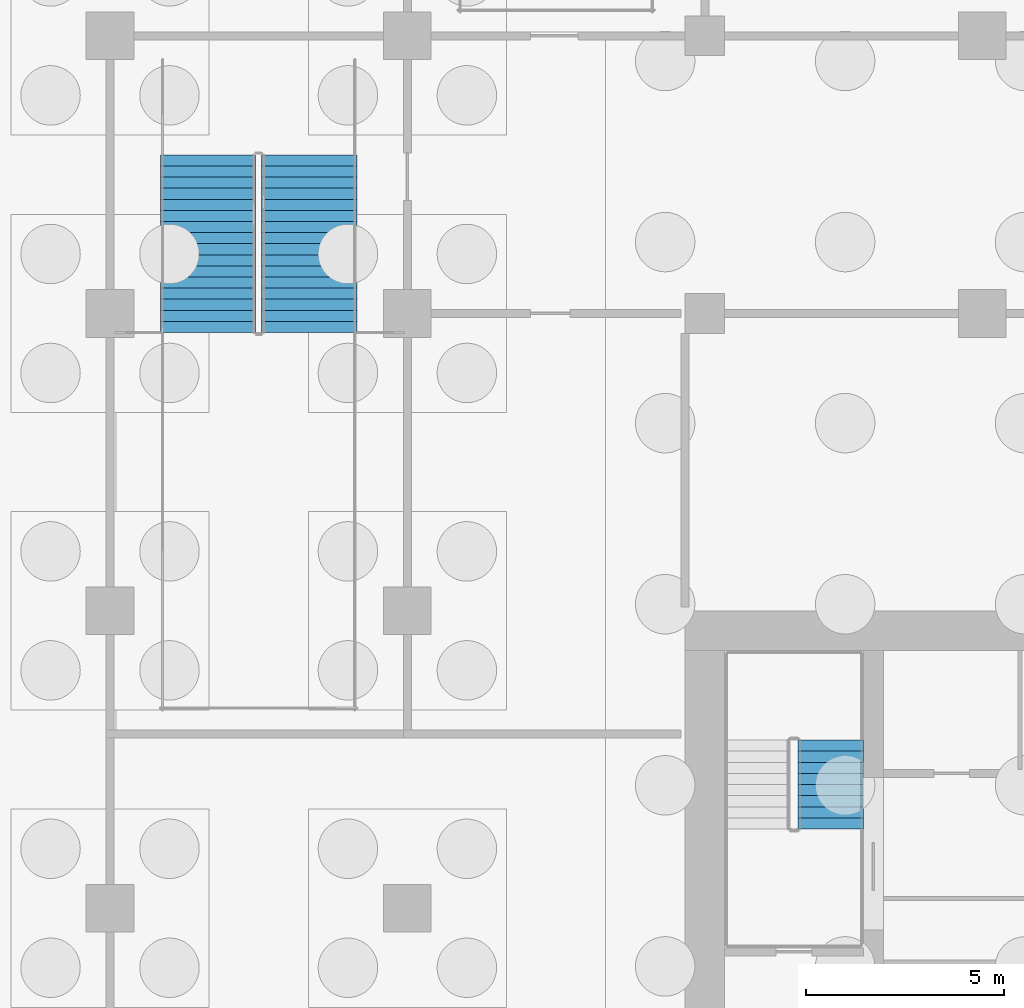
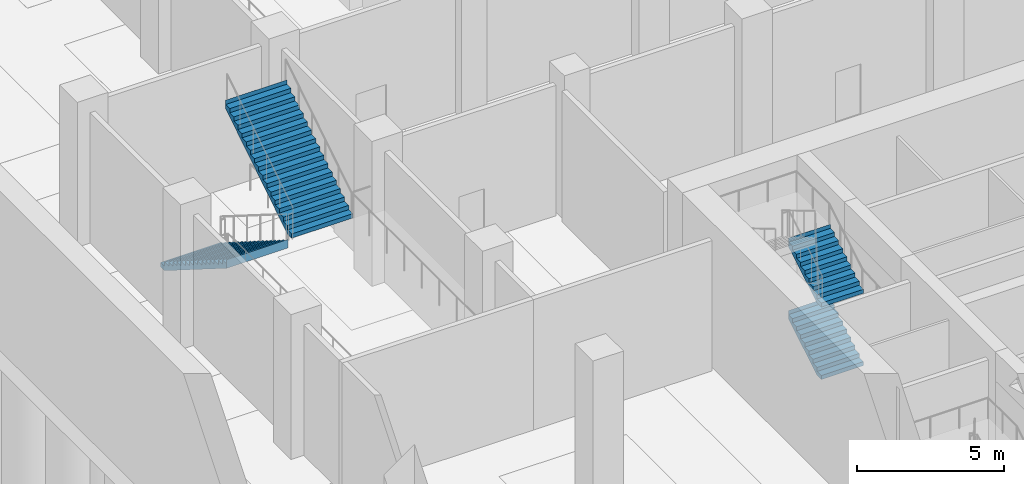
# One storey, part 23 of 39: 4 stair flights, 2 elements without a shape of their own.
"""IFC4 building model written with IfcOpenShell, lengths in metres."""

from ifc_helpers import new_model, si_unit, direction, frame, origin, place, context, subcontext, project, spatial, polyline, outline, extrude, material, type_object, element, aggregate, save


model = new_model("IFC4")

# Units and contexts
model_context = context("Model", 3, precision=1e-05, world=origin(), true_north=direction((0.0, 1.0)))
body_context = subcontext(model_context, "Body", "Model", "MODEL_VIEW")
ifc_project = project(units=[si_unit("LENGTHUNIT", "METRE"), si_unit("AREAUNIT", "SQUARE_METRE"), si_unit("VOLUMEUNIT", "CUBIC_METRE"), si_unit("PLANEANGLEUNIT", "RADIAN"), si_unit("MASSUNIT", "GRAM", prefix="KILO")], contexts=[model_context])

# Site, building, storey
site_placement = place(None, origin())
site = spatial("IfcSite", under=ifc_project, at=site_placement, CompositionType="ELEMENT")
building_placement = place(site_placement, origin())
building = spatial("IfcBuilding", under=site, at=building_placement, Name="Tamorin Gate", CompositionType="ELEMENT")
storey_placement = place(building_placement, frame((0.0, 0.0, -12.0)))
storey = spatial("IfcBuildingStorey", under=building, at=storey_placement, Name="B2", CompositionType="ELEMENT", Elevation=-12.0)

# Stair, stair flights
ifc_material_1 = material(Name="Concrete C40/50", Category="concrete")
stair_type_1 = type_object("IfcStairType", Name="Exit stair", PredefinedType="HALF_TURN_STAIR", material=ifc_material_1)
stair_1_placement = place(storey_placement, origin())
stair_1 = element("IfcStair", 1, at=stair_1_placement, inside=storey, type_object=stair_type_1, Name="B2 stair ST2", PredefinedType="HALF_TURN_STAIR")
stair_flight_type_1 = type_object("IfcStairFlightType", Name="Exit stair flight", PredefinedType="STRAIGHT", material=ifc_material_1)
stair_flight_1_placement = place(storey_placement, frame((33.675048828125, 77.0, 0.0), z_axis=(0.0, 0.0, 1.0), x_axis=(0.0, 1.0, 0.0)))
stair_flight_1 = element("IfcStairFlight", 2, at=stair_flight_1_placement, type_object=stair_flight_type_1, Name="ST2 flight 1", NumberOfRisers=9, NumberOfTreads=8, PredefinedType="STRAIGHT", RiserHeight=0.166666667, TreadLength=0.28, context=body_context, shape_type="SweptSolid", body=[
    extrude(outline(polyline([(-0.00048828125, 0.0), (-0.00048828125, 0.001708984375), (-0.00048828125, 0.00341796875), (-0.00048828125, 0.0048828125), (-0.00048828125, 0.006591796875), (-0.00048828125, 0.00830078125), (-0.00048828125, 0.010009765625), (-0.00048828125, 0.011474609375), (-0.00048828125, 0.01318359375), (-0.00048828125, 0.014892578125), (-0.00048828125, 0.0166015625), (-0.00048828125, 0.01806640625), (-0.00048828125, 0.019775390625), (-0.00048828125, 0.021484375), (-0.00048828125, 0.023193359375), (-0.00048828125, 0.024658203125), (-0.00048828125, 0.0263671875), (-0.00048828125, 0.028076171875), (-0.00048828125, 0.02978515625), (-0.00048828125, 0.03125), (-0.00048828125, 0.032958984375), (-0.00048828125, 0.03466796875), (-0.00048828125, 0.036376953125), (-0.00048828125, 0.037841796875), (-0.00048828125, 0.03955078125), (-0.00048828125, 0.041259765625), (-0.00048828125, 0.04296875), (-0.00048828125, 0.04443359375), (-0.00048828125, 0.046142578125), (-0.00048828125, 0.0478515625), (-0.00048828125, 0.049560546875), (-0.00048828125, 0.05126953125), (-0.00048828125, 0.052734375), (-0.00048828125, 0.054443359375), (-0.00048828125, 0.05615234375), (-0.00048828125, 0.057861328125), (-0.00048828125, 0.059326171875), (-0.00048828125, 0.06103515625), (-0.00048828125, 0.062744140625), (-0.00048828125, 0.064453125), (-0.00048828125, 0.06591796875), (-0.00048828125, 0.067626953125), (-0.00048828125, 0.0693359375), (-0.00048828125, 0.071044921875), (-0.00048828125, 0.072509765625), (-0.00048828125, 0.07421875), (-0.00048828125, 0.075927734375), (-0.00048828125, 0.07763671875), (-0.00048828125, 0.0791015625), (-0.00048828125, 0.080810546875), (-0.00048828125, 0.08251953125), (-0.00048828125, 0.084228515625), (-0.00048828125, 0.085693359375), (-0.00048828125, 0.08740234375), (-0.00048828125, 0.089111328125), (-0.00048828125, 0.0908203125), (-0.00048828125, 0.092529296875), (-0.00048828125, 0.093994140625), (-0.00048828125, 0.095703125), (-0.00048828125, 0.097412109375), (-0.00048828125, 0.09912109375), (-0.00048828125, 0.1005859375), (-0.00048828125, 0.102294921875), (-0.00048828125, 0.10400390625), (-0.00048828125, 0.105712890625), (-0.00048828125, 0.107177734375), (-0.00048828125, 0.10888671875), (-0.00048828125, 0.110595703125), (-0.00048828125, 0.1123046875), (-0.00048828125, 0.11376953125), (-0.00048828125, 0.115478515625), (-0.00048828125, 0.1171875), (-0.00048828125, 0.118896484375), (-0.00048828125, 0.120361328125), (-0.00048828125, 0.1220703125), (-0.00048828125, 0.123779296875), (-0.00048828125, 0.12548828125), (-0.00048828125, 0.126953125), (-0.00048828125, 0.128662109375), (-0.00048828125, 0.13037109375), (-0.00048828125, 0.132080078125), (-0.00048828125, 0.133544921875), (-0.00048828125, 0.13525390625), (-0.00048828125, 0.136962890625), (-0.00048828125, 0.138671875), (-0.00048828125, 0.140380859375), (-0.00048828125, 0.141845703125), (-0.00048828125, 0.1435546875), (-0.00048828125, 0.145263671875), (-0.00048828125, 0.14697265625), (-0.00048828125, 0.1484375), (-0.00048828125, 0.150146484375), (-0.00048828125, 0.15185546875), (-0.00048828125, 0.153564453125), (-0.00048828125, 0.155029296875), (-0.00048828125, 0.15673828125), (-0.00048828125, 0.158447265625), (-0.00048828125, 0.16015625), (-0.00048828125, 0.16162109375), (-0.00048828125, 0.163330078125), (-0.00048828125, 0.1650390625), (-0.00048828125, 0.166748046875), (0.280029296875, 0.166748046875), (0.280029296875, 0.333251953125), (0.56005859375, 0.333251953125), (0.56005859375, 0.5), (0.840087890625, 0.5), (0.840087890625, 0.666748046875), (1.1201171875, 0.666748046875), (1.1201171875, 0.833251953125), (1.39990234375, 0.833251953125), (1.39990234375, 1.0), (1.679931640625, 1.0), (1.679931640625, 1.166748046875), (1.9599609375, 1.166748046875), (1.9599609375, 1.333251953125), (2.239990234375, 1.333251953125), (2.239990234375, 1.5), (2.240478515625, 1.5), (2.240478515625, 1.49658203125), (2.240478515625, 1.4931640625), (2.240478515625, 1.48974609375), (2.240478515625, 1.486572265625), (2.240478515625, 1.483154296875), (2.240478515625, 1.479736328125), (2.240478515625, 1.476318359375), (2.240478515625, 1.472900390625), (2.240478515625, 1.469482421875), (2.240478515625, 1.46630859375), (2.240478515625, 1.462890625), (2.240478515625, 1.45947265625), (2.240478515625, 1.4560546875), (2.240478515625, 1.45263671875), (2.240478515625, 1.44921875), (2.240478515625, 1.446044921875), (2.240478515625, 1.442626953125), (2.240478515625, 1.439208984375), (2.240478515625, 1.435791015625), (2.240478515625, 1.432373046875), (2.240478515625, 1.428955078125), (2.240478515625, 1.42578125), (2.240478515625, 1.42236328125), (2.240478515625, 1.4189453125), (2.240478515625, 1.41552734375), (2.240478515625, 1.412109375), (2.240478515625, 1.40869140625), (2.240478515625, 1.405517578125), (2.240478515625, 1.402099609375), (2.240478515625, 1.398681640625), (2.240478515625, 1.395263671875), (2.240478515625, 1.391845703125), (2.240478515625, 1.388427734375), (2.240478515625, 1.38525390625), (2.240478515625, 1.3818359375), (2.240478515625, 1.37841796875), (2.240478515625, 1.375), (2.240478515625, 1.37158203125), (2.240478515625, 1.3681640625), (2.240478515625, 1.364990234375), (2.240478515625, 1.361572265625), (2.240478515625, 1.358154296875), (2.240478515625, 1.354736328125), (2.240478515625, 1.351318359375), (2.240478515625, 1.347900390625), (2.240478515625, 1.3447265625), (2.240478515625, 1.34130859375), (2.240478515625, 1.337890625), (2.240478515625, 1.33447265625), (2.240478515625, 1.3310546875), (2.240478515625, 1.32763671875), (2.240478515625, 1.324462890625), (2.240478515625, 1.321044921875), (2.240478515625, 1.317626953125), (2.240478515625, 1.314208984375), (2.240478515625, 1.310791015625), (2.240478515625, 1.307373046875), (2.240478515625, 1.30419921875), (2.240478515625, 1.30078125), (2.240478515625, 1.29736328125), (2.240478515625, 1.2939453125), (2.240478515625, 1.29052734375), (2.240478515625, 1.287109375), (2.240478515625, 1.283935546875), (2.240478515625, 1.280517578125), (2.240478515625, 1.277099609375), (2.240478515625, 1.273681640625), (2.240478515625, 1.270263671875), (2.240478515625, 1.266845703125), (2.240478515625, 1.263671875), (2.240478515625, 1.26025390625), (2.240478515625, 1.2568359375), (2.240478515625, 1.25341796875), (2.240478515625, 1.25), (2.240478515625, 1.24658203125), (2.240478515625, 1.243408203125), (2.240478515625, 1.239990234375), (2.240478515625, 1.236572265625), (2.240478515625, 1.233154296875), (2.240478515625, 1.229736328125), (2.240478515625, 1.226318359375), (2.240478515625, 1.22314453125), (2.240478515625, 1.2197265625), (2.240478515625, 1.21630859375), (2.240478515625, 1.212890625), (2.240478515625, 1.20947265625), (2.240478515625, 1.2060546875), (2.240478515625, 1.202880859375), (2.240478515625, 1.199462890625), (2.240478515625, 1.196044921875), (2.240478515625, 1.192626953125), (2.240478515625, 1.189208984375), (2.240478515625, 1.185791015625), (2.240478515625, 1.1826171875), (2.240478515625, 1.17919921875), (2.240478515625, 1.17578125), (2.240478515625, 1.17236328125), (2.240478515625, 1.1689453125), (2.240478515625, 1.16552734375), (2.240478515625, 1.162353515625), (2.240478515625, 1.158935546875), (2.239990234375, 1.158935546875), (0.29296875, 0.0), (-0.00048828125, 0.0)])), frame((0.0, 0.824951171875, 0.0), z_axis=(0.0, -1.0, 0.0), x_axis=(1.0, 0.0, 0.0)), (0.0, 0.0, 1.0), 1.64990234375),
])
stair_flight_2_placement = place(storey_placement, frame((33.675048828125, 77.0, 3.0), z_axis=(0.0, 0.0, 1.0), x_axis=(0.0, 1.0, 0.0)))
stair_flight_2 = element("IfcStairFlight", 3, at=stair_flight_2_placement, type_object=stair_flight_type_1, Name="ST2 flight 3", NumberOfRisers=9, NumberOfTreads=8, PredefinedType="STRAIGHT", RiserHeight=0.166666667, TreadLength=0.28, context=body_context, shape_type="SweptSolid", body=[
    extrude(outline(polyline([(-0.00048828125, 0.0), (-0.00048828125, 0.001708984375), (-0.00048828125, 0.00341796875), (-0.00048828125, 0.0048828125), (-0.00048828125, 0.006591796875), (-0.00048828125, 0.00830078125), (-0.00048828125, 0.010009765625), (-0.00048828125, 0.011474609375), (-0.00048828125, 0.01318359375), (-0.00048828125, 0.014892578125), (-0.00048828125, 0.0166015625), (-0.00048828125, 0.01806640625), (-0.00048828125, 0.019775390625), (-0.00048828125, 0.021484375), (-0.00048828125, 0.023193359375), (-0.00048828125, 0.024658203125), (-0.00048828125, 0.0263671875), (-0.00048828125, 0.028076171875), (-0.00048828125, 0.02978515625), (-0.00048828125, 0.03125), (-0.00048828125, 0.032958984375), (-0.00048828125, 0.03466796875), (-0.00048828125, 0.036376953125), (-0.00048828125, 0.037841796875), (-0.00048828125, 0.03955078125), (-0.00048828125, 0.041259765625), (-0.00048828125, 0.04296875), (-0.00048828125, 0.04443359375), (-0.00048828125, 0.046142578125), (-0.00048828125, 0.0478515625), (-0.00048828125, 0.049560546875), (-0.00048828125, 0.05126953125), (-0.00048828125, 0.052734375), (-0.00048828125, 0.054443359375), (-0.00048828125, 0.05615234375), (-0.00048828125, 0.057861328125), (-0.00048828125, 0.059326171875), (-0.00048828125, 0.06103515625), (-0.00048828125, 0.062744140625), (-0.00048828125, 0.064453125), (-0.00048828125, 0.06591796875), (-0.00048828125, 0.067626953125), (-0.00048828125, 0.0693359375), (-0.00048828125, 0.071044921875), (-0.00048828125, 0.072509765625), (-0.00048828125, 0.07421875), (-0.00048828125, 0.075927734375), (-0.00048828125, 0.07763671875), (-0.00048828125, 0.0791015625), (-0.00048828125, 0.080810546875), (-0.00048828125, 0.08251953125), (-0.00048828125, 0.084228515625), (-0.00048828125, 0.085693359375), (-0.00048828125, 0.08740234375), (-0.00048828125, 0.089111328125), (-0.00048828125, 0.0908203125), (-0.00048828125, 0.092529296875), (-0.00048828125, 0.093994140625), (-0.00048828125, 0.095703125), (-0.00048828125, 0.097412109375), (-0.00048828125, 0.09912109375), (-0.00048828125, 0.1005859375), (-0.00048828125, 0.102294921875), (-0.00048828125, 0.10400390625), (-0.00048828125, 0.105712890625), (-0.00048828125, 0.107177734375), (-0.00048828125, 0.10888671875), (-0.00048828125, 0.110595703125), (-0.00048828125, 0.1123046875), (-0.00048828125, 0.11376953125), (-0.00048828125, 0.115478515625), (-0.00048828125, 0.1171875), (-0.00048828125, 0.118896484375), (-0.00048828125, 0.120361328125), (-0.00048828125, 0.1220703125), (-0.00048828125, 0.123779296875), (-0.00048828125, 0.12548828125), (-0.00048828125, 0.126953125), (-0.00048828125, 0.128662109375), (-0.00048828125, 0.13037109375), (-0.00048828125, 0.132080078125), (-0.00048828125, 0.133544921875), (-0.00048828125, 0.13525390625), (-0.00048828125, 0.136962890625), (-0.00048828125, 0.138671875), (-0.00048828125, 0.140380859375), (-0.00048828125, 0.141845703125), (-0.00048828125, 0.1435546875), (-0.00048828125, 0.145263671875), (-0.00048828125, 0.14697265625), (-0.00048828125, 0.1484375), (-0.00048828125, 0.150146484375), (-0.00048828125, 0.15185546875), (-0.00048828125, 0.153564453125), (-0.00048828125, 0.155029296875), (-0.00048828125, 0.15673828125), (-0.00048828125, 0.158447265625), (-0.00048828125, 0.16015625), (-0.00048828125, 0.16162109375), (-0.00048828125, 0.163330078125), (-0.00048828125, 0.1650390625), (-0.00048828125, 0.166748046875), (0.280029296875, 0.166748046875), (0.280029296875, 0.333251953125), (0.56005859375, 0.333251953125), (0.56005859375, 0.5), (0.840087890625, 0.5), (0.840087890625, 0.666748046875), (1.1201171875, 0.666748046875), (1.1201171875, 0.833251953125), (1.39990234375, 0.833251953125), (1.39990234375, 1.0), (1.679931640625, 1.0), (1.679931640625, 1.166748046875), (1.9599609375, 1.166748046875), (1.9599609375, 1.333251953125), (2.239990234375, 1.333251953125), (2.239990234375, 1.5), (2.240478515625, 1.5), (2.240478515625, 1.49658203125), (2.240478515625, 1.4931640625), (2.240478515625, 1.48974609375), (2.240478515625, 1.486572265625), (2.240478515625, 1.483154296875), (2.240478515625, 1.479736328125), (2.240478515625, 1.476318359375), (2.240478515625, 1.472900390625), (2.240478515625, 1.469482421875), (2.240478515625, 1.46630859375), (2.240478515625, 1.462890625), (2.240478515625, 1.45947265625), (2.240478515625, 1.4560546875), (2.240478515625, 1.45263671875), (2.240478515625, 1.44921875), (2.240478515625, 1.446044921875), (2.240478515625, 1.442626953125), (2.240478515625, 1.439208984375), (2.240478515625, 1.435791015625), (2.240478515625, 1.432373046875), (2.240478515625, 1.428955078125), (2.240478515625, 1.42578125), (2.240478515625, 1.42236328125), (2.240478515625, 1.4189453125), (2.240478515625, 1.41552734375), (2.240478515625, 1.412109375), (2.240478515625, 1.40869140625), (2.240478515625, 1.405517578125), (2.240478515625, 1.402099609375), (2.240478515625, 1.398681640625), (2.240478515625, 1.395263671875), (2.240478515625, 1.391845703125), (2.240478515625, 1.388427734375), (2.240478515625, 1.38525390625), (2.240478515625, 1.3818359375), (2.240478515625, 1.37841796875), (2.240478515625, 1.375), (2.240478515625, 1.37158203125), (2.240478515625, 1.3681640625), (2.240478515625, 1.364990234375), (2.240478515625, 1.361572265625), (2.240478515625, 1.358154296875), (2.240478515625, 1.354736328125), (2.240478515625, 1.351318359375), (2.240478515625, 1.347900390625), (2.240478515625, 1.3447265625), (2.240478515625, 1.34130859375), (2.240478515625, 1.337890625), (2.240478515625, 1.33447265625), (2.240478515625, 1.3310546875), (2.240478515625, 1.32763671875), (2.240478515625, 1.324462890625), (2.240478515625, 1.321044921875), (2.240478515625, 1.317626953125), (2.240478515625, 1.314208984375), (2.240478515625, 1.310791015625), (2.240478515625, 1.307373046875), (2.240478515625, 1.30419921875), (2.240478515625, 1.30078125), (2.240478515625, 1.29736328125), (2.240478515625, 1.2939453125), (2.240478515625, 1.29052734375), (2.240478515625, 1.287109375), (2.240478515625, 1.283935546875), (2.240478515625, 1.280517578125), (2.240478515625, 1.277099609375), (2.240478515625, 1.273681640625), (2.240478515625, 1.270263671875), (2.240478515625, 1.266845703125), (2.240478515625, 1.263671875), (2.240478515625, 1.26025390625), (2.240478515625, 1.2568359375), (2.240478515625, 1.25341796875), (2.240478515625, 1.25), (2.240478515625, 1.24658203125), (2.240478515625, 1.243408203125), (2.240478515625, 1.239990234375), (2.240478515625, 1.236572265625), (2.240478515625, 1.233154296875), (2.240478515625, 1.229736328125), (2.240478515625, 1.226318359375), (2.240478515625, 1.22314453125), (2.240478515625, 1.2197265625), (2.240478515625, 1.21630859375), (2.240478515625, 1.212890625), (2.240478515625, 1.20947265625), (2.240478515625, 1.2060546875), (2.240478515625, 1.202880859375), (2.240478515625, 1.199462890625), (2.240478515625, 1.196044921875), (2.240478515625, 1.192626953125), (2.240478515625, 1.189208984375), (2.240478515625, 1.185791015625), (2.240478515625, 1.1826171875), (2.240478515625, 1.17919921875), (2.240478515625, 1.17578125), (2.240478515625, 1.17236328125), (2.240478515625, 1.1689453125), (2.240478515625, 1.16552734375), (2.240478515625, 1.162353515625), (2.240478515625, 1.158935546875), (2.239990234375, 1.158935546875), (0.29296875, 0.0), (-0.00048828125, 0.0)])), frame((0.0, 0.824951171875, 0.0), z_axis=(0.0, -1.0, 0.0), x_axis=(1.0, 0.0, 0.0)), (0.0, 0.0, 1.0), 1.64990234375),
])
aggregate(stair_1, [stair_flight_1, stair_flight_2])

ifc_material_2 = material(Name="Reinforced concrete C32/40", Category="concrete")
stair_type_2 = type_object("IfcStairType", Name="Basement stair SB", PredefinedType="HALF_TURN_STAIR", material=ifc_material_2)
stair_2_placement = place(storey_placement, origin())
stair_2 = element("IfcStair", 4, at=stair_2_placement, inside=storey, type_object=stair_type_2, Name="B2 Basement stair SB1", PredefinedType="HALF_TURN_STAIR")
stair_flight_type_2 = type_object("IfcStairFlightType", Name="Stair flight 2400", PredefinedType="STRAIGHT", material=ifc_material_2)
stair_flight_3_placement = place(storey_placement, frame((17.97509765625, 94.0, 0.0), z_axis=(0.0, 0.0, 1.0), x_axis=(0.0, -1.0, 0.0)))
stair_flight_3 = element("IfcStairFlight", 5, at=stair_flight_3_placement, type_object=stair_flight_type_2, Name="SB1 flight 1", NumberOfRisers=17, NumberOfTreads=16, PredefinedType="STRAIGHT", RiserHeight=0.176470588, TreadLength=0.28, context=body_context, shape_type="SweptSolid", body=[
    extrude(outline(polyline([(-0.00048828125, 0.0), (-0.00048828125, 0.001708984375), (-0.00048828125, 0.00341796875), (-0.00048828125, 0.005126953125), (-0.00048828125, 0.007080078125), (-0.00048828125, 0.0087890625), (-0.00048828125, 0.010498046875), (-0.00048828125, 0.01220703125), (-0.00048828125, 0.013916015625), (-0.00048828125, 0.015625), (-0.00048828125, 0.017578125), (-0.00048828125, 0.019287109375), (-0.00048828125, 0.02099609375), (-0.00048828125, 0.022705078125), (-0.00048828125, 0.0244140625), (-0.00048828125, 0.026123046875), (-0.00048828125, 0.028076171875), (-0.00048828125, 0.02978515625), (-0.00048828125, 0.031494140625), (-0.00048828125, 0.033203125), (-0.00048828125, 0.034912109375), (-0.00048828125, 0.03662109375), (-0.00048828125, 0.038330078125), (-0.00048828125, 0.040283203125), (-0.00048828125, 0.0419921875), (-0.00048828125, 0.043701171875), (-0.00048828125, 0.04541015625), (-0.00048828125, 0.047119140625), (-0.00048828125, 0.048828125), (-0.00048828125, 0.05078125), (-0.00048828125, 0.052490234375), (-0.00048828125, 0.05419921875), (-0.00048828125, 0.055908203125), (-0.00048828125, 0.0576171875), (-0.00048828125, 0.059326171875), (-0.00048828125, 0.06103515625), (-0.00048828125, 0.06298828125), (-0.00048828125, 0.064697265625), (-0.00048828125, 0.06640625), (-0.00048828125, 0.068115234375), (-0.00048828125, 0.06982421875), (-0.00048828125, 0.071533203125), (-0.00048828125, 0.073486328125), (-0.00048828125, 0.0751953125), (-0.00048828125, 0.076904296875), (-0.00048828125, 0.07861328125), (-0.00048828125, 0.080322265625), (-0.00048828125, 0.08203125), (-0.00048828125, 0.083984375), (-0.00048828125, 0.085693359375), (-0.00048828125, 0.08740234375), (-0.00048828125, 0.089111328125), (-0.00048828125, 0.0908203125), (-0.00048828125, 0.092529296875), (-0.00048828125, 0.09423828125), (-0.00048828125, 0.09619140625), (-0.00048828125, 0.097900390625), (-0.00048828125, 0.099609375), (-0.00048828125, 0.101318359375), (-0.00048828125, 0.10302734375), (-0.00048828125, 0.104736328125), (-0.00048828125, 0.106689453125), (-0.00048828125, 0.1083984375), (-0.00048828125, 0.110107421875), (-0.00048828125, 0.11181640625), (-0.00048828125, 0.113525390625), (-0.00048828125, 0.115234375), (-0.00048828125, 0.116943359375), (-0.00048828125, 0.118896484375), (-0.00048828125, 0.12060546875), (-0.00048828125, 0.122314453125), (-0.00048828125, 0.1240234375), (-0.00048828125, 0.125732421875), (-0.00048828125, 0.12744140625), (-0.00048828125, 0.12939453125), (-0.00048828125, 0.131103515625), (-0.00048828125, 0.1328125), (-0.00048828125, 0.134521484375), (-0.00048828125, 0.13623046875), (-0.00048828125, 0.137939453125), (-0.00048828125, 0.139892578125), (-0.00048828125, 0.1416015625), (-0.00048828125, 0.143310546875), (-0.00048828125, 0.14501953125), (-0.00048828125, 0.146728515625), (-0.00048828125, 0.1484375), (-0.00048828125, 0.150146484375), (-0.00048828125, 0.152099609375), (-0.00048828125, 0.15380859375), (-0.00048828125, 0.155517578125), (-0.00048828125, 0.1572265625), (-0.00048828125, 0.158935546875), (-0.00048828125, 0.16064453125), (-0.00048828125, 0.16259765625), (-0.00048828125, 0.164306640625), (-0.00048828125, 0.166015625), (-0.00048828125, 0.167724609375), (-0.00048828125, 0.16943359375), (-0.00048828125, 0.171142578125), (-0.00048828125, 0.173095703125), (-0.00048828125, 0.1748046875), (-0.00048828125, 0.176513671875), (0.280029296875, 0.176513671875), (0.280029296875, 0.35302734375), (0.56005859375, 0.35302734375), (0.56005859375, 0.529296875), (0.840087890625, 0.529296875), (0.840087890625, 0.705810546875), (1.1201171875, 0.705810546875), (1.1201171875, 0.88232421875), (1.39990234375, 0.88232421875), (1.39990234375, 1.058837890625), (1.679931640625, 1.058837890625), (1.679931640625, 1.2353515625), (1.9599609375, 1.2353515625), (1.9599609375, 1.411865234375), (2.239990234375, 1.411865234375), (2.239990234375, 1.588134765625), (2.52001953125, 1.588134765625), (2.52001953125, 1.7646484375), (2.800048828125, 1.7646484375), (2.800048828125, 1.941162109375), (3.080078125, 1.941162109375), (3.080078125, 2.11767578125), (3.360107421875, 2.11767578125), (3.360107421875, 2.294189453125), (3.639892578125, 2.294189453125), (3.639892578125, 2.470703125), (3.919921875, 2.470703125), (3.919921875, 2.64697265625), (4.199951171875, 2.64697265625), (4.199951171875, 2.823486328125), (4.47998046875, 2.823486328125), (4.47998046875, 3.0), (4.48046875, 3.0), (4.48046875, 2.99658203125), (4.48046875, 2.992919921875), (4.48046875, 2.989501953125), (4.48046875, 2.986083984375), (4.48046875, 2.982421875), (4.48046875, 2.97900390625), (4.48046875, 2.9755859375), (4.48046875, 2.971923828125), (4.48046875, 2.968505859375), (4.48046875, 2.965087890625), (4.48046875, 2.96142578125), (4.48046875, 2.9580078125), (4.48046875, 2.95458984375), (4.48046875, 2.950927734375), (4.48046875, 2.947509765625), (4.48046875, 2.944091796875), (4.48046875, 2.9404296875), (4.48046875, 2.93701171875), (4.48046875, 2.933349609375), (4.48046875, 2.929931640625), (4.48046875, 2.926513671875), (4.48046875, 2.9228515625), (4.48046875, 2.91943359375), (4.48046875, 2.916015625), (4.48046875, 2.912353515625), (4.48046875, 2.908935546875), (4.48046875, 2.905517578125), (4.48046875, 2.90185546875), (4.48046875, 2.8984375), (4.48046875, 2.89501953125), (4.48046875, 2.891357421875), (4.48046875, 2.887939453125), (4.48046875, 2.884521484375), (4.48046875, 2.880859375), (4.48046875, 2.87744140625), (4.48046875, 2.8740234375), (4.48046875, 2.870361328125), (4.48046875, 2.866943359375), (4.48046875, 2.863525390625), (4.48046875, 2.85986328125), (4.48046875, 2.8564453125), (4.48046875, 2.85302734375), (4.48046875, 2.849365234375), (4.48046875, 2.845947265625), (4.48046875, 2.842529296875), (4.48046875, 2.8388671875), (4.48046875, 2.83544921875), (4.48046875, 2.83203125), (4.48046875, 2.828369140625), (4.48046875, 2.824951171875), (4.48046875, 2.821533203125), (4.48046875, 2.81787109375), (4.48046875, 2.814453125), (4.48046875, 2.81103515625), (4.48046875, 2.807373046875), (4.48046875, 2.803955078125), (4.48046875, 2.80029296875), (4.48046875, 2.796875), (4.48046875, 2.79345703125), (4.48046875, 2.789794921875), (4.48046875, 2.786376953125), (4.48046875, 2.782958984375), (4.48046875, 2.779296875), (4.48046875, 2.77587890625), (4.48046875, 2.7724609375), (4.48046875, 2.768798828125), (4.48046875, 2.765380859375), (4.48046875, 2.761962890625), (4.48046875, 2.75830078125), (4.48046875, 2.7548828125), (4.48046875, 2.75146484375), (4.48046875, 2.747802734375), (4.48046875, 2.744384765625), (4.48046875, 2.740966796875), (4.48046875, 2.7373046875), (4.48046875, 2.73388671875), (4.48046875, 2.73046875), (4.48046875, 2.726806640625), (4.48046875, 2.723388671875), (4.48046875, 2.719970703125), (4.48046875, 2.71630859375), (4.48046875, 2.712890625), (4.48046875, 2.70947265625), (4.48046875, 2.705810546875), (4.48046875, 2.702392578125), (4.48046875, 2.698974609375), (4.48046875, 2.6953125), (4.48046875, 2.69189453125), (4.48046875, 2.6884765625), (4.48046875, 2.684814453125), (4.48046875, 2.681396484375), (4.48046875, 2.677734375), (4.48046875, 2.67431640625), (4.48046875, 2.6708984375), (4.48046875, 2.667236328125), (4.48046875, 2.663818359375), (4.48046875, 2.660400390625), (4.48046875, 2.65673828125), (4.48046875, 2.6533203125), (4.48046875, 2.64990234375), (4.48046875, 2.646240234375), (4.47998046875, 2.646240234375), (0.28125, 0.0), (-0.00048828125, 0.0)])), frame((0.0, 1.199951171875, 0.0), z_axis=(0.0, -1.0, 0.0), x_axis=(1.0, 0.0, 0.0)), (0.0, 0.0, 1.0), 2.39990234375),
])
stair_flight_4_placement = place(storey_placement, frame((20.52490234375, 89.52001953125, 3.0), z_axis=(0.0, 0.0, 1.0), x_axis=(0.0, 1.0, 0.0)))
stair_flight_4 = element("IfcStairFlight", 6, at=stair_flight_4_placement, type_object=stair_flight_type_2, Name="SB1 flight 2", NumberOfRisers=17, NumberOfTreads=16, PredefinedType="STRAIGHT", RiserHeight=0.176470588, TreadLength=0.28, context=body_context, shape_type="SweptSolid", body=[
    extrude(outline(polyline([(-0.00048828125, 0.0), (-0.00048828125, 0.001708984375), (-0.00048828125, 0.00341796875), (-0.00048828125, 0.005126953125), (-0.00048828125, 0.007080078125), (-0.00048828125, 0.0087890625), (-0.00048828125, 0.010498046875), (-0.00048828125, 0.01220703125), (-0.00048828125, 0.013916015625), (-0.00048828125, 0.015625), (-0.00048828125, 0.017578125), (-0.00048828125, 0.019287109375), (-0.00048828125, 0.02099609375), (-0.00048828125, 0.022705078125), (-0.00048828125, 0.0244140625), (-0.00048828125, 0.026123046875), (-0.00048828125, 0.028076171875), (-0.00048828125, 0.02978515625), (-0.00048828125, 0.031494140625), (-0.00048828125, 0.033203125), (-0.00048828125, 0.034912109375), (-0.00048828125, 0.03662109375), (-0.00048828125, 0.038330078125), (-0.00048828125, 0.040283203125), (-0.00048828125, 0.0419921875), (-0.00048828125, 0.043701171875), (-0.00048828125, 0.04541015625), (-0.00048828125, 0.047119140625), (-0.00048828125, 0.048828125), (-0.00048828125, 0.05078125), (-0.00048828125, 0.052490234375), (-0.00048828125, 0.05419921875), (-0.00048828125, 0.055908203125), (-0.00048828125, 0.0576171875), (-0.00048828125, 0.059326171875), (-0.00048828125, 0.06103515625), (-0.00048828125, 0.06298828125), (-0.00048828125, 0.064697265625), (-0.00048828125, 0.06640625), (-0.00048828125, 0.068115234375), (-0.00048828125, 0.06982421875), (-0.00048828125, 0.071533203125), (-0.00048828125, 0.073486328125), (-0.00048828125, 0.0751953125), (-0.00048828125, 0.076904296875), (-0.00048828125, 0.07861328125), (-0.00048828125, 0.080322265625), (-0.00048828125, 0.08203125), (-0.00048828125, 0.083984375), (-0.00048828125, 0.085693359375), (-0.00048828125, 0.08740234375), (-0.00048828125, 0.089111328125), (-0.00048828125, 0.0908203125), (-0.00048828125, 0.092529296875), (-0.00048828125, 0.09423828125), (-0.00048828125, 0.09619140625), (-0.00048828125, 0.097900390625), (-0.00048828125, 0.099609375), (-0.00048828125, 0.101318359375), (-0.00048828125, 0.10302734375), (-0.00048828125, 0.104736328125), (-0.00048828125, 0.106689453125), (-0.00048828125, 0.1083984375), (-0.00048828125, 0.110107421875), (-0.00048828125, 0.11181640625), (-0.00048828125, 0.113525390625), (-0.00048828125, 0.115234375), (-0.00048828125, 0.116943359375), (-0.00048828125, 0.118896484375), (-0.00048828125, 0.12060546875), (-0.00048828125, 0.122314453125), (-0.00048828125, 0.1240234375), (-0.00048828125, 0.125732421875), (-0.00048828125, 0.12744140625), (-0.00048828125, 0.12939453125), (-0.00048828125, 0.131103515625), (-0.00048828125, 0.1328125), (-0.00048828125, 0.134521484375), (-0.00048828125, 0.13623046875), (-0.00048828125, 0.137939453125), (-0.00048828125, 0.139892578125), (-0.00048828125, 0.1416015625), (-0.00048828125, 0.143310546875), (-0.00048828125, 0.14501953125), (-0.00048828125, 0.146728515625), (-0.00048828125, 0.1484375), (-0.00048828125, 0.150146484375), (-0.00048828125, 0.152099609375), (-0.00048828125, 0.15380859375), (-0.00048828125, 0.155517578125), (-0.00048828125, 0.1572265625), (-0.00048828125, 0.158935546875), (-0.00048828125, 0.16064453125), (-0.00048828125, 0.16259765625), (-0.00048828125, 0.164306640625), (-0.00048828125, 0.166015625), (-0.00048828125, 0.167724609375), (-0.00048828125, 0.16943359375), (-0.00048828125, 0.171142578125), (-0.00048828125, 0.173095703125), (-0.00048828125, 0.1748046875), (-0.00048828125, 0.176513671875), (0.280029296875, 0.176513671875), (0.280029296875, 0.35302734375), (0.56005859375, 0.35302734375), (0.56005859375, 0.529296875), (0.840087890625, 0.529296875), (0.840087890625, 0.705810546875), (1.1201171875, 0.705810546875), (1.1201171875, 0.88232421875), (1.39990234375, 0.88232421875), (1.39990234375, 1.058837890625), (1.679931640625, 1.058837890625), (1.679931640625, 1.2353515625), (1.9599609375, 1.2353515625), (1.9599609375, 1.411865234375), (2.239990234375, 1.411865234375), (2.239990234375, 1.588134765625), (2.52001953125, 1.588134765625), (2.52001953125, 1.7646484375), (2.800048828125, 1.7646484375), (2.800048828125, 1.941162109375), (3.080078125, 1.941162109375), (3.080078125, 2.11767578125), (3.360107421875, 2.11767578125), (3.360107421875, 2.294189453125), (3.639892578125, 2.294189453125), (3.639892578125, 2.470703125), (3.919921875, 2.470703125), (3.919921875, 2.64697265625), (4.199951171875, 2.64697265625), (4.199951171875, 2.823486328125), (4.47998046875, 2.823486328125), (4.47998046875, 3.0), (4.48046875, 3.0), (4.48046875, 2.99658203125), (4.48046875, 2.992919921875), (4.48046875, 2.989501953125), (4.48046875, 2.986083984375), (4.48046875, 2.982421875), (4.48046875, 2.97900390625), (4.48046875, 2.9755859375), (4.48046875, 2.971923828125), (4.48046875, 2.968505859375), (4.48046875, 2.965087890625), (4.48046875, 2.96142578125), (4.48046875, 2.9580078125), (4.48046875, 2.95458984375), (4.48046875, 2.950927734375), (4.48046875, 2.947509765625), (4.48046875, 2.944091796875), (4.48046875, 2.9404296875), (4.48046875, 2.93701171875), (4.48046875, 2.933349609375), (4.48046875, 2.929931640625), (4.48046875, 2.926513671875), (4.48046875, 2.9228515625), (4.48046875, 2.91943359375), (4.48046875, 2.916015625), (4.48046875, 2.912353515625), (4.48046875, 2.908935546875), (4.48046875, 2.905517578125), (4.48046875, 2.90185546875), (4.48046875, 2.8984375), (4.48046875, 2.89501953125), (4.48046875, 2.891357421875), (4.48046875, 2.887939453125), (4.48046875, 2.884521484375), (4.48046875, 2.880859375), (4.48046875, 2.87744140625), (4.48046875, 2.8740234375), (4.48046875, 2.870361328125), (4.48046875, 2.866943359375), (4.48046875, 2.863525390625), (4.48046875, 2.85986328125), (4.48046875, 2.8564453125), (4.48046875, 2.85302734375), (4.48046875, 2.849365234375), (4.48046875, 2.845947265625), (4.48046875, 2.842529296875), (4.48046875, 2.8388671875), (4.48046875, 2.83544921875), (4.48046875, 2.83203125), (4.48046875, 2.828369140625), (4.48046875, 2.824951171875), (4.48046875, 2.821533203125), (4.48046875, 2.81787109375), (4.48046875, 2.814453125), (4.48046875, 2.81103515625), (4.48046875, 2.807373046875), (4.48046875, 2.803955078125), (4.48046875, 2.80029296875), (4.48046875, 2.796875), (4.48046875, 2.79345703125), (4.48046875, 2.789794921875), (4.48046875, 2.786376953125), (4.48046875, 2.782958984375), (4.48046875, 2.779296875), (4.48046875, 2.77587890625), (4.48046875, 2.7724609375), (4.48046875, 2.768798828125), (4.48046875, 2.765380859375), (4.48046875, 2.761962890625), (4.48046875, 2.75830078125), (4.48046875, 2.7548828125), (4.48046875, 2.75146484375), (4.48046875, 2.747802734375), (4.48046875, 2.744384765625), (4.48046875, 2.740966796875), (4.48046875, 2.7373046875), (4.48046875, 2.73388671875), (4.48046875, 2.73046875), (4.48046875, 2.726806640625), (4.48046875, 2.723388671875), (4.48046875, 2.719970703125), (4.48046875, 2.71630859375), (4.48046875, 2.712890625), (4.48046875, 2.70947265625), (4.48046875, 2.705810546875), (4.48046875, 2.702392578125), (4.48046875, 2.698974609375), (4.48046875, 2.6953125), (4.48046875, 2.69189453125), (4.48046875, 2.6884765625), (4.48046875, 2.684814453125), (4.48046875, 2.681396484375), (4.48046875, 2.677734375), (4.48046875, 2.67431640625), (4.48046875, 2.6708984375), (4.48046875, 2.667236328125), (4.48046875, 2.663818359375), (4.48046875, 2.660400390625), (4.48046875, 2.65673828125), (4.48046875, 2.6533203125), (4.48046875, 2.64990234375), (4.48046875, 2.646240234375), (4.47998046875, 2.646240234375), (0.28125, 0.0), (-0.00048828125, 0.0)])), frame((0.0, 1.199951171875, 0.0), z_axis=(0.0, -1.0, 0.0), x_axis=(1.0, 0.0, 0.0)), (0.0, 0.0, 1.0), 2.39990234375),
])
aggregate(stair_2, [stair_flight_3, stair_flight_4])

save(model, "model.ifc")
